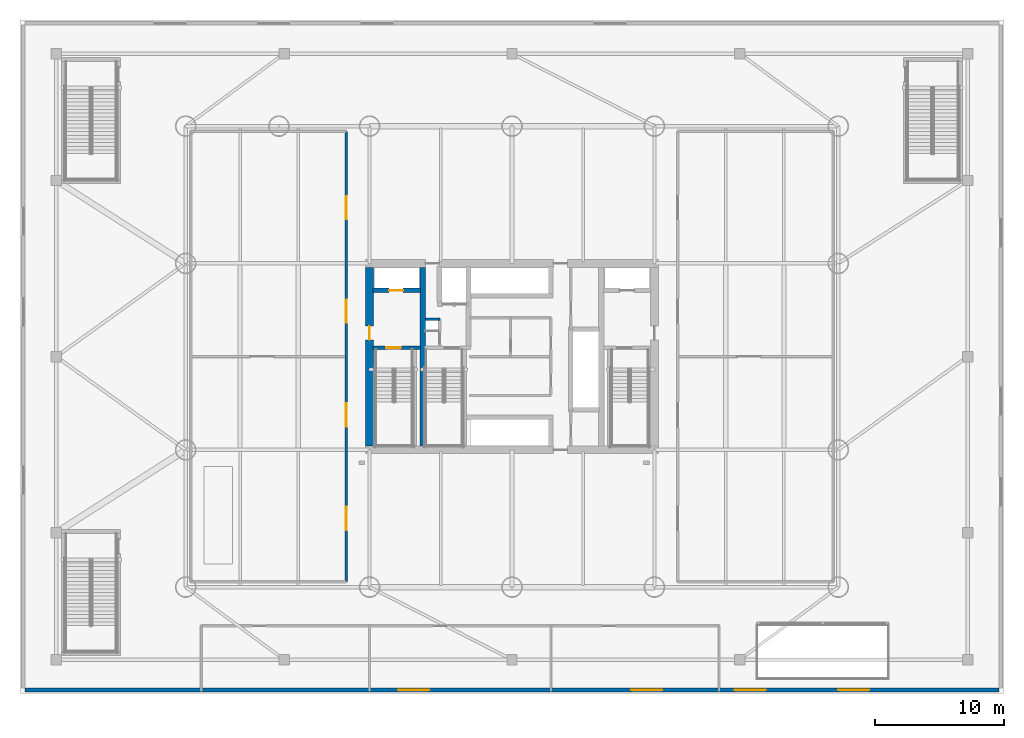
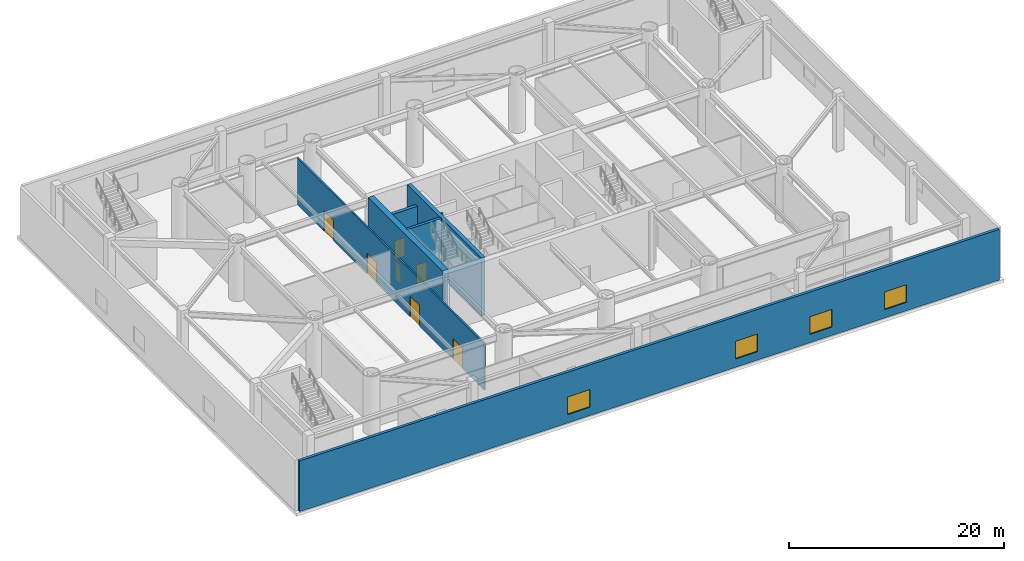
# One storey, part 6 of 16: 7 doors, 7 walls, 4 windows, 11 openings.
"""IFC4 building model written with IfcOpenShell, lengths in metres."""

from ifc_helpers import new_model, si_unit, direction, frame, frame_2d, origin, place, context, subcontext, project, spatial, rectangle, extrude, material, layer, layer_set, type_object, element, fill, save


model = new_model("IFC4")

# Units and contexts
model_context = context("Model", 3, precision=1e-05, world=origin(), true_north=direction((0.0, 1.0)))
body_context = subcontext(model_context, "Body", "Model", "MODEL_VIEW")
ifc_project = project(units=[si_unit("LENGTHUNIT", "METRE"), si_unit("AREAUNIT", "SQUARE_METRE"), si_unit("VOLUMEUNIT", "CUBIC_METRE"), si_unit("PLANEANGLEUNIT", "RADIAN"), si_unit("MASSUNIT", "GRAM", prefix="KILO")], contexts=[model_context])

# Site, building, storey
site_placement = place(None, origin())
site = spatial("IfcSite", under=ifc_project, at=site_placement, CompositionType="ELEMENT")
building_placement = place(site_placement, origin())
building = spatial("IfcBuilding", under=site, at=building_placement, Name="Bramvorn Convention Spire", CompositionType="ELEMENT")
storey_placement = place(building_placement, frame((0.0, 0.0, 12.0)))
storey = spatial("IfcBuildingStorey", under=building, at=storey_placement, Name="L02", CompositionType="ELEMENT", Elevation=12.0)

# Wall, opening, door
ifc_material_1 = material(Name="Concrete C60/70", Category="concrete")
ifc_layer_1 = layer(ifc_material_1, 0.60009765625)
ifc_layer_set_1 = layer_set([ifc_layer_1], Name="Concrete C60/70 - WL-CORE-600")
wall_type_1 = type_object("IfcWallType", Name="WL-CORE-600", PredefinedType="SHEAR", material=ifc_layer_set_1)
wall_1_placement = place(storey_placement, frame((27.0, 19.10009765625, 0.0), z_axis=(0.0, 0.0, 1.0), x_axis=(0.0, 1.0, 0.0)))
wall_1 = element("IfcWall", 1, at=wall_1_placement, inside=storey, type_object=wall_type_1, Name="L02 West RC core shear wall", PredefinedType="SHEAR", context=body_context, shape_type="SweptSolid", body=[
    extrude(rectangle(XDim=13.7998046875, YDim=0.60009765625, at=frame_2d((6.89990234375, 0.0))), origin(), (0.0, 0.0, 1.0), 6.60009765625),
])
opening_1_placement = place(wall_1_placement, frame((8.199951171875, 0.0, 0.0)))
opening_1 = element("IfcOpeningElement", 2, at=opening_1_placement, cuts=wall_1, Name="Opening DL-105", PredefinedType="OPENING", context=body_context, shape_type="SweptSolid", body=[
    extrude(rectangle(XDim=1.050048828125, YDim=2.14990234375, at=frame_2d((0.52490234375, 1.074951171875))), frame((0.0, 0.31005859375, 0.0), z_axis=(0.0, -1.0, 0.0), x_axis=(1.0, 0.0, 0.0)), (0.0, 0.0, 1.0), 0.6201171875),
])
ifc_material_2 = material(Name="Smoke-Sealed Fire Lobby Timber-Core Door", Category="wood")
door_type_1 = type_object("IfcDoorType", Name="DR-LOBBY-1050", OperationType="NOTDEFINED", PredefinedType="DOOR", material=ifc_material_2)
door_1_placement = place(opening_1_placement, origin())
door_1 = element("IfcDoor", 3, at=door_1_placement, inside=storey, type_object=door_type_1, Name="L02 West Firefighting Lobby corridor door", OperationType="SINGLE_SWING_RIGHT", OverallHeight=2.14990234375, OverallWidth=1.050048828125, PredefinedType="DOOR", context=body_context, shape_type="SweptSolid", body=[
    extrude(rectangle(XDim=1.050048828125, YDim=2.14990234375, at=frame_2d((0.52490234375, 1.074951171875))), frame((0.0, 0.02490234375, 0.0), z_axis=(0.0, -1.0, 0.0), x_axis=(1.0, 0.0, 0.0)), (0.0, 0.0, 1.0), 0.050048828125),
])
fill(opening_1, door_1)

ifc_material_3 = material(Name="Concrete C50/60", Category="concrete")
ifc_layer_2 = layer(ifc_material_3, 0.35009765625)
ifc_layer_set_2 = layer_set([ifc_layer_2], Name="Concrete C50/60 - WL-CORE-INT-350")
wall_type_2 = type_object("IfcWallType", Name="WL-CORE-INT-350", PredefinedType="SHEAR", material=ifc_layer_set_2)
wall_2_placement = place(storey_placement, frame((27.25, 31.1201171875, 0.0), z_axis=(0.0, 0.0, 1.0), x_axis=(1.0, 0.0, 0.0)))
wall_2 = element("IfcWall", 4, at=wall_2_placement, inside=storey, type_object=wall_type_2, Name="L02 FE1 shaft front wall", PredefinedType="SHEAR", context=body_context, shape_type="SweptSolid", body=[
    extrude(rectangle(XDim=3.669921875, YDim=0.35009765625, at=frame_2d((1.8349609375, 0.0))), origin(), (0.0, 0.0, 1.0), 5.31005859375),
])
opening_2_placement = place(wall_2_placement, frame((1.25, 0.0, 0.0)))
opening_2 = element("IfcOpeningElement", 5, at=opening_2_placement, cuts=wall_2, Name="Opening LD-110", PredefinedType="OPENING", context=body_context, shape_type="SweptSolid", body=[
    extrude(rectangle(XDim=1.10009765625, YDim=2.14990234375, at=frame_2d((0.550048828125, 1.074951171875))), frame((0.0, 0.18505859375, 0.0), z_axis=(0.0, -1.0, 0.0), x_axis=(1.0, 0.0, 0.0)), (0.0, 0.0, 1.0), 0.3701171875),
])
ifc_material_4 = material(Name="Firefighting & Service Lift Sliding Landing Door", Category="steel")
door_type_2 = type_object("IfcDoorType", Name="DR-LIFT-LD-1100", OperationType="NOTDEFINED", PredefinedType="DOOR", material=ifc_material_4)
door_2_placement = place(opening_2_placement, origin())
door_2 = element("IfcDoor", 6, at=door_2_placement, inside=storey, type_object=door_type_2, Name="L02 Lift FE1 Sliding Landing Door", OperationType="SLIDING_TO_LEFT", OverallHeight=2.14990234375, OverallWidth=1.10009765625, PredefinedType="DOOR", context=body_context, shape_type="SweptSolid", body=[
    extrude(rectangle(XDim=1.10009765625, YDim=2.14990234375, at=frame_2d((0.550048828125, 1.074951171875))), frame((0.0, 0.02490234375, 0.0), z_axis=(0.0, -1.0, 0.0), x_axis=(1.0, 0.0, 0.0)), (0.0, 0.0, 1.0), 0.050048828125),
])
fill(opening_2, door_2)

# Wall
ifc_layer_3 = layer(ifc_material_1, 0.39990234375)
ifc_layer_set_3 = layer_set([ifc_layer_3], Name="Concrete C60/70 - WL-CORE-INT-400")
wall_type_3 = type_object("IfcWallType", Name="WL-CORE-INT-400", PredefinedType="SHEAR", material=ifc_layer_set_3)
wall_3_placement = place(storey_placement, frame((31.10009765625, 19.10009765625, 0.0), z_axis=(0.0, 0.0, 1.0), x_axis=(0.0, 1.0, 0.0)))
element("IfcWall", 7, at=wall_3_placement, inside=storey, type_object=wall_type_3, Name="L02 West internal core shear web", PredefinedType="SHEAR", context=body_context, shape_type="SweptSolid", body=[
    extrude(rectangle(XDim=13.7998046875, YDim=0.39990234375, at=frame_2d((6.89990234375, 0.0))), origin(), (0.0, 0.0, 1.0), 6.60009765625),
])

# Wall, openings, windows
ifc_material_5 = material(Name="Precast Concrete C40/50 with Bronze Terracotta Rainscreen", Category="masonry")
ifc_layer_4 = layer(ifc_material_5, 0.300048828125)
ifc_layer_set_4 = layer_set([ifc_layer_4], Name="Precast Concrete C40/50 with Bronze Terracotta Rainscreen - WL-EXT-BRONZE-300")
wall_type_4 = type_object("IfcWallType", Name="WL-EXT-BRONZE-300", PredefinedType="SOLIDWALL", material=ifc_layer_set_4)
wall_4_placement = place(storey_placement, frame((75.60009765625, 0.25, 0.0), z_axis=(0.0, 0.0, 1.0), x_axis=(-1.0, 0.0, 0.0)))
wall_4 = element("IfcWall", 8, at=wall_4_placement, inside=storey, type_object=wall_type_4, Name="L02 South podium bronze facade wall", PredefinedType="SOLIDWALL", context=body_context, shape_type="SweptSolid", body=[
    extrude(rectangle(XDim=75.2001953125, YDim=0.300048828125, at=frame_2d((37.60009765625, 0.0))), origin(), (0.0, 0.0, 1.0), 5.760009765625),
])
opening_3_placement = place(wall_4_placement, frame((10.0, 0.0, 0.949951171875)))
opening_3 = element("IfcOpeningElement", 9, at=opening_3_placement, cuts=wall_4, Name="Opening WN05", PredefinedType="OPENING", context=body_context, shape_type="SweptSolid", body=[
    extrude(rectangle(XDim=2.39990234375, YDim=2.0, at=frame_2d((1.199951171875, 1.0))), frame((0.0, 0.159912109375, 0.0), z_axis=(0.0, -1.0, 0.0), x_axis=(1.0, 0.0, 0.0)), (0.0, 0.0, 1.0), 0.320068359375),
])
opening_4_placement = place(wall_4_placement, frame((18.0, 0.0, 0.949951171875)))
opening_4 = element("IfcOpeningElement", 10, at=opening_4_placement, cuts=wall_4, Name="Opening WN05", PredefinedType="OPENING", context=body_context, shape_type="SweptSolid", body=[
    extrude(rectangle(XDim=2.39990234375, YDim=2.0, at=frame_2d((1.199951171875, 1.0))), frame((0.0, 0.159912109375, 0.0), z_axis=(0.0, -1.0, 0.0), x_axis=(1.0, 0.0, 0.0)), (0.0, 0.0, 1.0), 0.320068359375),
])
opening_5_placement = place(wall_4_placement, frame((26.0, 0.0, 0.949951171875)))
opening_5 = element("IfcOpeningElement", 11, at=opening_5_placement, cuts=wall_4, Name="Opening WN05", PredefinedType="OPENING", context=body_context, shape_type="SweptSolid", body=[
    extrude(rectangle(XDim=2.39990234375, YDim=2.0, at=frame_2d((1.199951171875, 1.0))), frame((0.0, 0.159912109375, 0.0), z_axis=(0.0, -1.0, 0.0), x_axis=(1.0, 0.0, 0.0)), (0.0, 0.0, 1.0), 0.320068359375),
])
opening_6_placement = place(wall_4_placement, frame((44.0, 0.0, 0.949951171875)))
opening_6 = element("IfcOpeningElement", 12, at=opening_6_placement, cuts=wall_4, Name="Opening WN05", PredefinedType="OPENING", context=body_context, shape_type="SweptSolid", body=[
    extrude(rectangle(XDim=2.39990234375, YDim=2.0, at=frame_2d((1.199951171875, 1.0))), frame((0.0, 0.159912109375, 0.0), z_axis=(0.0, -1.0, 0.0), x_axis=(1.0, 0.0, 0.0)), (0.0, 0.0, 1.0), 0.320068359375),
])
ifc_material_6 = material(Name="Thermally Broken Bronze Aluminium & Triple Low-E Glass", Category="aluminium")
window_type = type_object("IfcWindowType", Name="WN-OP-2400X2000", PartitioningType="SINGLE_PANEL", PredefinedType="WINDOW", material=ifc_material_6)
window_1_placement = place(opening_3_placement, origin())
window_1 = element("IfcWindow", 13, at=window_1_placement, inside=storey, type_object=window_type, Name="L02 South operable convention window 1", OverallHeight=2.0, OverallWidth=2.39990234375, PartitioningType="SINGLE_PANEL", PredefinedType="WINDOW", context=body_context, shape_type="SweptSolid", body=[
    extrude(rectangle(XDim=2.39990234375, YDim=2.0, at=frame_2d((1.199951171875, 1.0))), frame((0.0, 0.030029296875, 0.0), z_axis=(0.0, -1.0, 0.0), x_axis=(1.0, 0.0, 0.0)), (0.0, 0.0, 1.0), 0.06005859375),
])
fill(opening_3, window_1)
window_2_placement = place(opening_4_placement, origin())
window_2 = element("IfcWindow", 14, at=window_2_placement, inside=storey, type_object=window_type, Name="L02 South operable convention window 2", OverallHeight=2.0, OverallWidth=2.39990234375, PartitioningType="SINGLE_PANEL", PredefinedType="WINDOW", context=body_context, shape_type="SweptSolid", body=[
    extrude(rectangle(XDim=2.39990234375, YDim=2.0, at=frame_2d((1.199951171875, 1.0))), frame((0.0, 0.030029296875, 0.0), z_axis=(0.0, -1.0, 0.0), x_axis=(1.0, 0.0, 0.0)), (0.0, 0.0, 1.0), 0.06005859375),
])
fill(opening_4, window_2)
window_3_placement = place(opening_5_placement, origin())
window_3 = element("IfcWindow", 15, at=window_3_placement, inside=storey, type_object=window_type, Name="L02 South operable convention window 3", OverallHeight=2.0, OverallWidth=2.39990234375, PartitioningType="SINGLE_PANEL", PredefinedType="WINDOW", context=body_context, shape_type="SweptSolid", body=[
    extrude(rectangle(XDim=2.39990234375, YDim=2.0, at=frame_2d((1.199951171875, 1.0))), frame((0.0, 0.030029296875, 0.0), z_axis=(0.0, -1.0, 0.0), x_axis=(1.0, 0.0, 0.0)), (0.0, 0.0, 1.0), 0.06005859375),
])
fill(opening_5, window_3)
window_4_placement = place(opening_6_placement, origin())
window_4 = element("IfcWindow", 16, at=window_4_placement, inside=storey, type_object=window_type, Name="L02 South operable convention window 4", OverallHeight=2.0, OverallWidth=2.39990234375, PartitioningType="SINGLE_PANEL", PredefinedType="WINDOW", context=body_context, shape_type="SweptSolid", body=[
    extrude(rectangle(XDim=2.39990234375, YDim=2.0, at=frame_2d((1.199951171875, 1.0))), frame((0.0, 0.030029296875, 0.0), z_axis=(0.0, -1.0, 0.0), x_axis=(1.0, 0.0, 0.0)), (0.0, 0.0, 1.0), 0.06005859375),
])
fill(opening_6, window_4)

# Wall, openings, doors
ifc_material_7 = material(Name="Double-Stud Acoustic Hotel/Suite Partition", Category="gypsum")
ifc_layer_5 = layer(ifc_material_7, 0.175048828125)
ifc_layer_set_5 = layer_set([ifc_layer_5], Name="Double-Stud Acoustic Hotel/Suite Partition - WL-PART-175")
wall_type_5 = type_object("IfcWallType", Name="WL-PART-175", PredefinedType="PARTITIONING", material=ifc_layer_set_5)
wall_5_placement = place(storey_placement, frame((25.199951171875, 8.60009765625, 0.0), z_axis=(0.0, 0.0, 1.0), x_axis=(0.0, 1.0, 0.0)))
wall_5 = element("IfcWall", 17, at=wall_5_placement, inside=storey, type_object=wall_type_5, Name="L02 West Exhibition Hall foyer wall", PredefinedType="PARTITIONING", context=body_context, shape_type="SweptSolid", body=[
    extrude(rectangle(XDim=34.7998046875, YDim=0.175048828125, at=frame_2d((17.39990234375, 0.0))), origin(), (0.0, 0.0, 1.0), 5.31005859375),
])
opening_7_placement = place(wall_5_placement, frame((4.0, 0.0, 0.0)))
opening_7 = element("IfcOpeningElement", 18, at=opening_7_placement, cuts=wall_5, Name="Opening DH-180", PredefinedType="OPENING", context=body_context, shape_type="SweptSolid", body=[
    extrude(rectangle(XDim=1.800048828125, YDim=2.35009765625, at=frame_2d((0.89990234375, 1.175048828125))), frame((0.0, 0.097412109375, 0.0), z_axis=(0.0, -1.0, 0.0), x_axis=(1.0, 0.0, 0.0)), (0.0, 0.0, 1.0), 0.195068359375),
])
opening_8_placement = place(wall_5_placement, frame((12.0, 0.0, 0.0)))
opening_8 = element("IfcOpeningElement", 19, at=opening_8_placement, cuts=wall_5, Name="Opening DH-180", PredefinedType="OPENING", context=body_context, shape_type="SweptSolid", body=[
    extrude(rectangle(XDim=1.800048828125, YDim=2.35009765625, at=frame_2d((0.89990234375, 1.175048828125))), frame((0.0, 0.097412109375, 0.0), z_axis=(0.0, -1.0, 0.0), x_axis=(1.0, 0.0, 0.0)), (0.0, 0.0, 1.0), 0.195068359375),
])
opening_9_placement = place(wall_5_placement, frame((20.0, 0.0, 0.0)))
opening_9 = element("IfcOpeningElement", 20, at=opening_9_placement, cuts=wall_5, Name="Opening DH-180", PredefinedType="OPENING", context=body_context, shape_type="SweptSolid", body=[
    extrude(rectangle(XDim=1.800048828125, YDim=2.35009765625, at=frame_2d((0.89990234375, 1.175048828125))), frame((0.0, 0.097412109375, 0.0), z_axis=(0.0, -1.0, 0.0), x_axis=(1.0, 0.0, 0.0)), (0.0, 0.0, 1.0), 0.195068359375),
])
opening_10_placement = place(wall_5_placement, frame((28.0, 0.0, 0.0)))
opening_10 = element("IfcOpeningElement", 21, at=opening_10_placement, cuts=wall_5, Name="Opening DH-180", PredefinedType="OPENING", context=body_context, shape_type="SweptSolid", body=[
    extrude(rectangle(XDim=1.800048828125, YDim=2.35009765625, at=frame_2d((0.89990234375, 1.175048828125))), frame((0.0, 0.097412109375, 0.0), z_axis=(0.0, -1.0, 0.0), x_axis=(1.0, 0.0, 0.0)), (0.0, 0.0, 1.0), 0.195068359375),
])
ifc_material_8 = material(Name="Double-Leaf Acoustic Assembly Hall Door", Category="wood")
door_type_3 = type_object("IfcDoorType", Name="DR-HALL-1800", OperationType="NOTDEFINED", PredefinedType="DOOR", material=ifc_material_8)
door_3_placement = place(opening_7_placement, origin())
door_3 = element("IfcDoor", 22, at=door_3_placement, inside=storey, type_object=door_type_3, Name="L02 West Hall portal 1", OperationType="DOUBLE_DOOR_SINGLE_SWING", OverallHeight=2.35009765625, OverallWidth=1.800048828125, PredefinedType="DOOR", context=body_context, shape_type="SweptSolid", body=[
    extrude(rectangle(XDim=1.800048828125, YDim=2.35009765625, at=frame_2d((0.89990234375, 1.175048828125))), frame((0.0, 0.02490234375, 0.0), z_axis=(0.0, -1.0, 0.0), x_axis=(1.0, 0.0, 0.0)), (0.0, 0.0, 1.0), 0.050048828125),
])
fill(opening_7, door_3)
door_4_placement = place(opening_8_placement, origin())
door_4 = element("IfcDoor", 23, at=door_4_placement, inside=storey, type_object=door_type_3, Name="L02 West Hall portal 2", OperationType="DOUBLE_DOOR_SINGLE_SWING", OverallHeight=2.35009765625, OverallWidth=1.800048828125, PredefinedType="DOOR", context=body_context, shape_type="SweptSolid", body=[
    extrude(rectangle(XDim=1.800048828125, YDim=2.35009765625, at=frame_2d((0.89990234375, 1.175048828125))), frame((0.0, 0.02490234375, 0.0), z_axis=(0.0, -1.0, 0.0), x_axis=(1.0, 0.0, 0.0)), (0.0, 0.0, 1.0), 0.050048828125),
])
fill(opening_8, door_4)
door_5_placement = place(opening_9_placement, origin())
door_5 = element("IfcDoor", 24, at=door_5_placement, inside=storey, type_object=door_type_3, Name="L02 West Hall portal 3", OperationType="DOUBLE_DOOR_SINGLE_SWING", OverallHeight=2.35009765625, OverallWidth=1.800048828125, PredefinedType="DOOR", context=body_context, shape_type="SweptSolid", body=[
    extrude(rectangle(XDim=1.800048828125, YDim=2.35009765625, at=frame_2d((0.89990234375, 1.175048828125))), frame((0.0, 0.02490234375, 0.0), z_axis=(0.0, -1.0, 0.0), x_axis=(1.0, 0.0, 0.0)), (0.0, 0.0, 1.0), 0.050048828125),
])
fill(opening_9, door_5)
door_6_placement = place(opening_10_placement, origin())
door_6 = element("IfcDoor", 25, at=door_6_placement, inside=storey, type_object=door_type_3, Name="L02 West Hall portal 4", OperationType="DOUBLE_DOOR_SINGLE_SWING", OverallHeight=2.35009765625, OverallWidth=1.800048828125, PredefinedType="DOOR", context=body_context, shape_type="SweptSolid", body=[
    extrude(rectangle(XDim=1.800048828125, YDim=2.35009765625, at=frame_2d((0.89990234375, 1.175048828125))), frame((0.0, 0.02490234375, 0.0), z_axis=(0.0, -1.0, 0.0), x_axis=(1.0, 0.0, 0.0)), (0.0, 0.0, 1.0), 0.050048828125),
])
fill(opening_10, door_6)

# Wall
ifc_material_9 = material(Name="Gypsum Shaftwall & Rockwool Core Partition", Category="gypsum")
ifc_layer_6 = layer(ifc_material_9, 0.199951171875)
ifc_layer_set_6 = layer_set([ifc_layer_6], Name="Gypsum Shaftwall & Rockwool Core Partition - WL-PART-200-FR")
wall_type_6 = type_object("IfcWallType", Name="WL-PART-200-FR", PredefinedType="PARTITIONING", material=ifc_layer_set_6)
wall_6_placement = place(storey_placement, frame((31.300048828125, 28.89990234375, 0.0), z_axis=(0.0, 0.0, 1.0), x_axis=(1.0, 0.0, 0.0)))
element("IfcWall", 26, at=wall_6_placement, inside=storey, type_object=wall_type_6, Name="L02 Telecom riser north wall", PredefinedType="PARTITIONING", context=body_context, shape_type="SweptSolid", body=[
    extrude(rectangle(XDim=1.119873046875, YDim=0.199951171875, at=frame_2d((0.56005859375, 0.0))), origin(), (0.0, 0.0, 1.0), 5.31005859375),
])

# Wall, opening, door
ifc_layer_7 = layer(ifc_material_3, 0.300048828125)
ifc_layer_set_7 = layer_set([ifc_layer_7], Name="Concrete C50/60 - WL-POD-STAIR-300")
wall_type_7 = type_object("IfcWallType", Name="WL-POD-STAIR-300", PredefinedType="SHEAR", material=ifc_layer_set_7)
wall_7_placement = place(storey_placement, frame((27.25, 26.68994140625, 0.0), z_axis=(0.0, 0.0, 1.0), x_axis=(1.0, 0.0, 0.0)))
wall_7 = element("IfcWall", 27, at=wall_7_placement, inside=storey, type_object=wall_type_7, Name="L02 ST1 north fire wall", PredefinedType="SHEAR", context=body_context, shape_type="SweptSolid", body=[
    extrude(rectangle(XDim=3.669921875, YDim=0.300048828125, at=frame_2d((1.8349609375, 0.0))), origin(), (0.0, 0.0, 1.0), 6.60009765625),
])
opening_11_placement = place(wall_7_placement, frame((1.050048828125, 0.0, 0.0)))
opening_11 = element("IfcOpeningElement", 28, at=opening_11_placement, cuts=wall_7, Name="Opening DS-110", PredefinedType="OPENING", context=body_context, shape_type="SweptSolid", body=[
    extrude(rectangle(XDim=1.10009765625, YDim=2.14990234375, at=frame_2d((0.550048828125, 1.074951171875))), frame((0.0, 0.159912109375, 0.0), z_axis=(0.0, -1.0, 0.0), x_axis=(1.0, 0.0, 0.0)), (0.0, 0.0, 1.0), 0.320068359375),
])
ifc_material_10 = material(Name="Fire-Rated Hollow Steel Stairwell Door", Category="steel")
door_type_4 = type_object("IfcDoorType", Name="DR-STAIR-1100", OperationType="NOTDEFINED", PredefinedType="DOOR", material=ifc_material_10)
door_7_placement = place(opening_11_placement, origin())
door_7 = element("IfcDoor", 29, at=door_7_placement, inside=storey, type_object=door_type_4, Name="L02 Stair ST1 fire door", OperationType="SINGLE_SWING_LEFT", OverallHeight=2.14990234375, OverallWidth=1.10009765625, PredefinedType="DOOR", context=body_context, shape_type="SweptSolid", body=[
    extrude(rectangle(XDim=1.10009765625, YDim=2.14990234375, at=frame_2d((0.550048828125, 1.074951171875))), frame((0.0, 0.02490234375, 0.0), z_axis=(0.0, -1.0, 0.0), x_axis=(1.0, 0.0, 0.0)), (0.0, 0.0, 1.0), 0.050048828125),
])
fill(opening_11, door_7)

save(model, "model.ifc")
